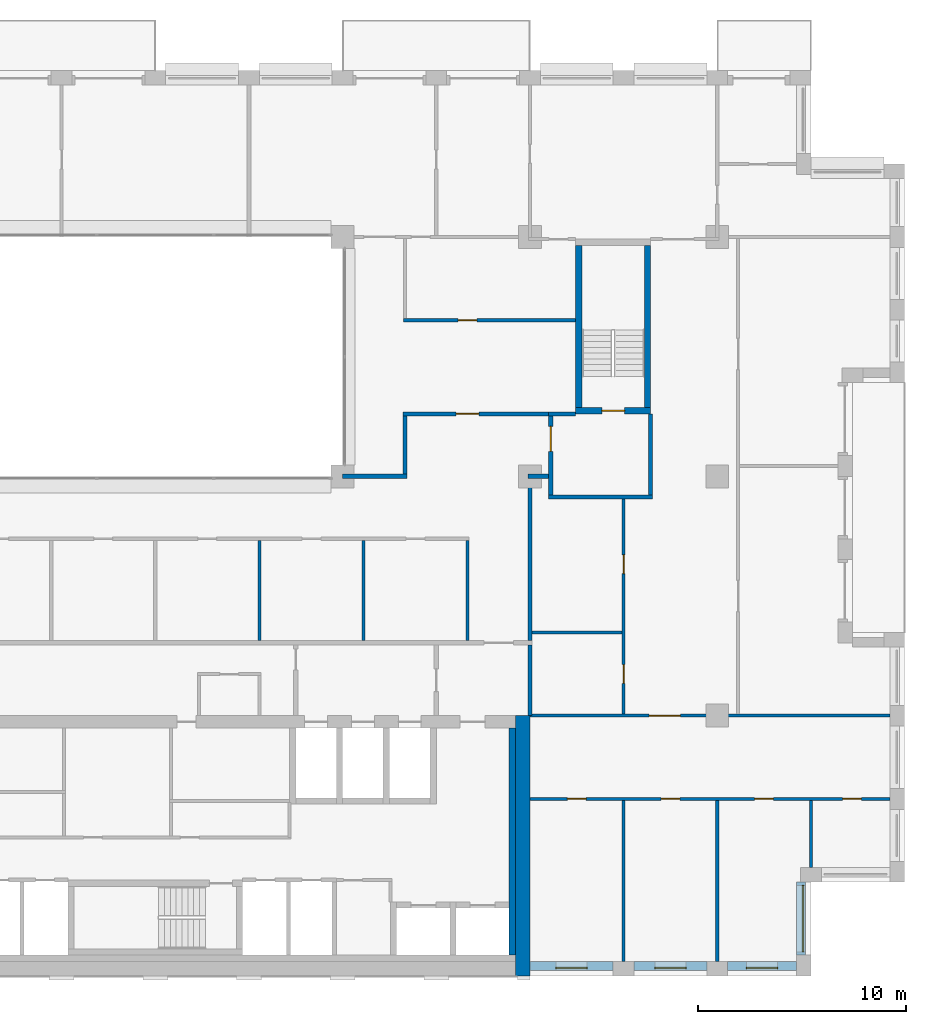
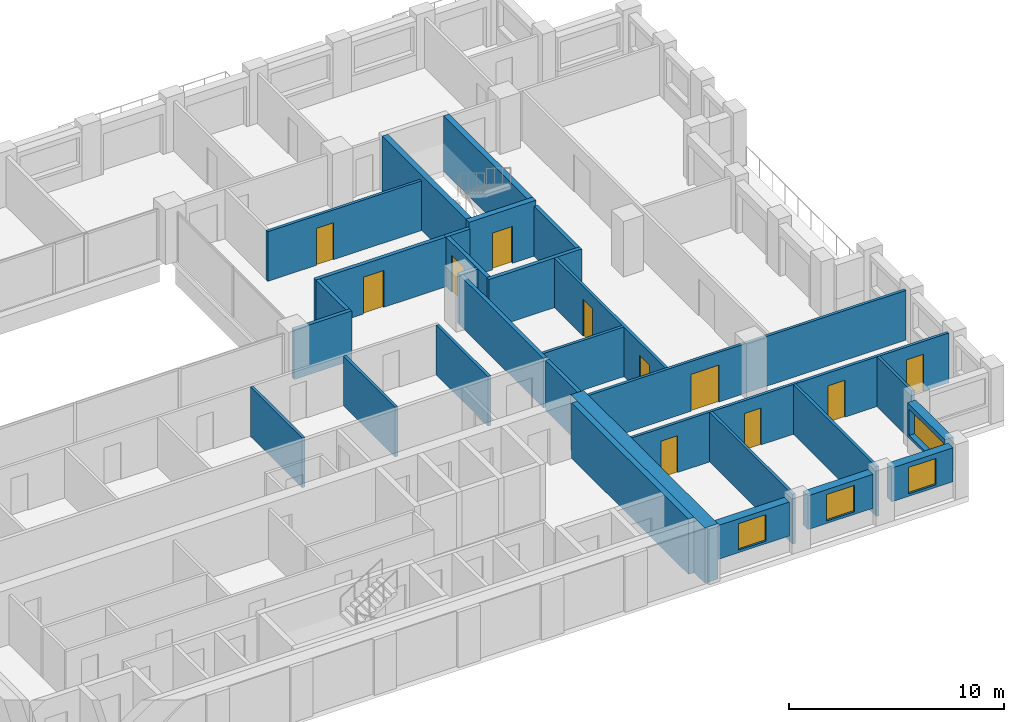
# One storey, part 11 of 15: 30 walls, 11 doors, 4 windows, 15 openings.
"""IFC4 building model written with IfcOpenShell, lengths in metres."""

from ifc_helpers import new_model, si_unit, direction, frame, frame_2d, origin, place, context, subcontext, project, spatial, rectangle, extrude, material, layer, layer_set, type_object, element, fill, save


model = new_model("IFC4")

# Units and contexts
model_context = context("Model", 3, precision=1e-05, world=origin(), true_north=direction((0.0, 1.0)))
body_context = subcontext(model_context, "Body", "Model", "MODEL_VIEW")
ifc_project = project(units=[si_unit("LENGTHUNIT", "METRE"), si_unit("AREAUNIT", "SQUARE_METRE"), si_unit("VOLUMEUNIT", "CUBIC_METRE"), si_unit("PLANEANGLEUNIT", "RADIAN"), si_unit("MASSUNIT", "GRAM", prefix="KILO")], contexts=[model_context])

# Site, building, storey
site_placement = place(None, origin())
site = spatial("IfcSite", under=ifc_project, at=site_placement, CompositionType="ELEMENT")
building_placement = place(site_placement, origin())
building = spatial("IfcBuilding", under=site, at=building_placement, Name="Brigalow Station Residences", CompositionType="ELEMENT")
storey_placement = place(building_placement, frame((0.0, 0.0, 157.050048828125)))
storey = spatial("IfcBuildingStorey", under=building, at=storey_placement, Name="L45", CompositionType="ELEMENT", Elevation=157.050048828125)

# Wall, opening, window
ifc_material_1 = material(Name="Clay brick masonry", Category="masonry")
ifc_layer_1 = layer(ifc_material_1, 0.449951171875)
ifc_layer_set_1 = layer_set([ifc_layer_1], Name="BRICK INFILL WALL 450")
wall_type_1 = type_object("IfcWallType", Name="BRICK INFILL WALL 450", PredefinedType="SOLIDWALL", material=ifc_layer_set_1)
wall_1_placement = place(storey_placement, frame((54.0, 0.47509765625, 0.89990234375), z_axis=(0.0, 0.0, 1.0), x_axis=(1.0, 0.0, 0.0)))
wall_1 = element("IfcWall", 1, at=wall_1_placement, inside=storey, type_object=wall_type_1, Name="L45/ewall/W-L45-4", PredefinedType="SOLIDWALL", context=body_context, shape_type="SweptSolid", body=[
    extrude(rectangle(XDim=4.0, YDim=0.449951171875, at=frame_2d((2.0, 0.0))), origin(), (0.0, 0.0, 1.0), 1.929931640625),
])
opening_1_placement = place(wall_1_placement, frame((1.25, 0.0, 0.14990234375)))
opening_1 = element("IfcOpeningElement", 2, at=opening_1_placement, cuts=wall_1, Name="Opening WT-1", PredefinedType="OPENING", context=body_context, shape_type="SweptSolid", body=[
    extrude(rectangle(XDim=1.5, YDim=1.5, at=frame_2d((0.75, 0.75))), frame((0.0, 0.23486328125, 0.0), z_axis=(0.0, -1.0, 0.0), x_axis=(1.0, 0.0, 0.0)), (0.0, 0.0, 1.0), 0.469970703125),
])
ifc_material_2 = material(Name="Anodised aluminium frame with double glazing", Category="aluminium")
window_type_1 = type_object("IfcWindowType", Name="WINDOW 1500x1500", PartitioningType="SINGLE_PANEL", PredefinedType="WINDOW", material=ifc_material_2)
window_1_placement = place(opening_1_placement, origin())
window_1 = element("IfcWindow", 3, at=window_1_placement, inside=storey, type_object=window_type_1, Name="L45/window/W-L45-4", OverallHeight=1.5, OverallWidth=1.5, PartitioningType="SINGLE_PANEL", PredefinedType="WINDOW", context=body_context, shape_type="SweptSolid", body=[
    extrude(rectangle(XDim=1.5, YDim=1.5, at=frame_2d((0.75, 0.75))), frame((0.0, -0.06494140625, 0.0), z_axis=(0.0, -1.0, 0.0), x_axis=(1.0, 0.0, 0.0)), (0.0, 0.0, 1.0), 0.06005859375),
])
fill(opening_1, window_1)

wall_2_placement = place(storey_placement, frame((59.0, 0.47509765625, 0.89990234375), z_axis=(0.0, 0.0, 1.0), x_axis=(1.0, 0.0, 0.0)))
wall_2 = element("IfcWall", 4, at=wall_2_placement, inside=storey, type_object=wall_type_1, Name="L45/ewall/W-L45-5", PredefinedType="SOLIDWALL", context=body_context, shape_type="SweptSolid", body=[
    extrude(rectangle(XDim=3.5, YDim=0.449951171875, at=frame_2d((1.75, 0.0))), origin(), (0.0, 0.0, 1.0), 1.929931640625),
])
opening_2_placement = place(wall_2_placement, frame((1.0, 0.0, 0.14990234375)))
opening_2 = element("IfcOpeningElement", 5, at=opening_2_placement, cuts=wall_2, Name="Opening WT-1", PredefinedType="OPENING", context=body_context, shape_type="SweptSolid", body=[
    extrude(rectangle(XDim=1.5, YDim=1.5, at=frame_2d((0.75, 0.75))), frame((0.0, 0.23486328125, 0.0), z_axis=(0.0, -1.0, 0.0), x_axis=(1.0, 0.0, 0.0)), (0.0, 0.0, 1.0), 0.469970703125),
])
window_2_placement = place(opening_2_placement, origin())
window_2 = element("IfcWindow", 6, at=window_2_placement, inside=storey, type_object=window_type_1, Name="L45/window/W-L45-5", OverallHeight=1.5, OverallWidth=1.5, PartitioningType="SINGLE_PANEL", PredefinedType="WINDOW", context=body_context, shape_type="SweptSolid", body=[
    extrude(rectangle(XDim=1.5, YDim=1.5, at=frame_2d((0.75, 0.75))), frame((0.0, -0.06494140625, 0.0), z_axis=(0.0, -1.0, 0.0), x_axis=(1.0, 0.0, 0.0)), (0.0, 0.0, 1.0), 0.06005859375),
])
fill(opening_2, window_2)

wall_3_placement = place(storey_placement, frame((63.5, 0.47509765625, 0.89990234375), z_axis=(0.0, 0.0, 1.0), x_axis=(1.0, 0.0, 0.0)))
wall_3 = element("IfcWall", 7, at=wall_3_placement, inside=storey, type_object=wall_type_1, Name="L45/ewall/W-L45-6", PredefinedType="SOLIDWALL", context=body_context, shape_type="SweptSolid", body=[
    extrude(rectangle(XDim=3.300048828125, YDim=0.449951171875, at=frame_2d((1.64990234375, 0.0))), origin(), (0.0, 0.0, 1.0), 1.929931640625),
])
opening_3_placement = place(wall_3_placement, frame((0.89990234375, 0.0, 0.14990234375)))
opening_3 = element("IfcOpeningElement", 8, at=opening_3_placement, cuts=wall_3, Name="Opening WT-1", PredefinedType="OPENING", context=body_context, shape_type="SweptSolid", body=[
    extrude(rectangle(XDim=1.5, YDim=1.5, at=frame_2d((0.75, 0.75))), frame((0.0, 0.23486328125, 0.0), z_axis=(0.0, -1.0, 0.0), x_axis=(1.0, 0.0, 0.0)), (0.0, 0.0, 1.0), 0.469970703125),
])
window_3_placement = place(opening_3_placement, origin())
window_3 = element("IfcWindow", 9, at=window_3_placement, inside=storey, type_object=window_type_1, Name="L45/window/W-L45-6", OverallHeight=1.5, OverallWidth=1.5, PartitioningType="SINGLE_PANEL", PredefinedType="WINDOW", context=body_context, shape_type="SweptSolid", body=[
    extrude(rectangle(XDim=1.5, YDim=1.5, at=frame_2d((0.75, 0.75))), frame((0.0, -0.06494140625, 0.0), z_axis=(0.0, -1.0, 0.0), x_axis=(1.0, 0.0, 0.0)), (0.0, 0.0, 1.0), 0.06005859375),
])
fill(opening_3, window_3)

wall_4_placement = place(storey_placement, frame((67.02490234375, 1.0, 0.89990234375), z_axis=(0.0, 0.0, 1.0), x_axis=(0.0, 1.0, 0.0)))
wall_4 = element("IfcWall", 10, at=wall_4_placement, inside=storey, type_object=wall_type_1, Name="L45/ewall/W-L45-7", PredefinedType="SOLIDWALL", context=body_context, shape_type="SweptSolid", body=[
    extrude(rectangle(XDim=3.5, YDim=0.449951171875, at=frame_2d((1.75, 0.0))), origin(), (0.0, 0.0, 1.0), 1.929931640625),
])
opening_4_placement = place(wall_4_placement, frame((0.14990234375, 0.0, 0.14990234375)))
opening_4 = element("IfcOpeningElement", 11, at=opening_4_placement, cuts=wall_4, Name="Opening WT-9", PredefinedType="OPENING", context=body_context, shape_type="SweptSolid", body=[
    extrude(rectangle(XDim=3.199951171875, YDim=1.5, at=frame_2d((1.60009765625, 0.75))), frame((0.0, 0.23486328125, 0.0), z_axis=(0.0, -1.0, 0.0), x_axis=(1.0, 0.0, 0.0)), (0.0, 0.0, 1.0), 0.469970703125),
])
ifc_material_3 = material(Name="Anodised aluminium frame with double glazing", Category="aluminium")
window_type_2 = type_object("IfcWindowType", Name="WINDOW 3200x1500", PartitioningType="SINGLE_PANEL", PredefinedType="WINDOW", material=ifc_material_3)
window_4_placement = place(opening_4_placement, origin())
window_4 = element("IfcWindow", 12, at=window_4_placement, inside=storey, type_object=window_type_2, Name="L45/window/W-L45-7", OverallHeight=1.5, OverallWidth=3.199951171875, PartitioningType="SINGLE_PANEL", PredefinedType="WINDOW", context=body_context, shape_type="SweptSolid", body=[
    extrude(rectangle(XDim=3.199951171875, YDim=1.5, at=frame_2d((1.60009765625, 0.75))), frame((0.0, -0.06494140625, 0.0), z_axis=(0.0, -1.0, 0.0), x_axis=(1.0, 0.0, 0.0)), (0.0, 0.0, 1.0), 0.06005859375),
])
fill(opening_4, window_4)

# Wall
ifc_material_4 = material(Name="Concrete C65", Category="concrete")
ifc_layer_2 = layer(ifc_material_4, 0.300048828125)
ifc_layer_set_2 = layer_set([ifc_layer_2], Name="CORE SHEAR WALL 300 C65")
wall_type_2 = type_object("IfcWallType", Name="CORE SHEAR WALL 300 C65", PredefinedType="SHEAR", material=ifc_layer_set_2)
wall_5_placement = place(storey_placement, frame((53.14990234375, 1.0, 0.0), z_axis=(0.0, 0.0, 1.0), x_axis=(0.0, 1.0, 0.0)))
element("IfcWall", 13, at=wall_5_placement, inside=storey, type_object=wall_type_2, Name="CORE WALL LIN-E L45", PredefinedType="SHEAR", context=body_context, shape_type="SweptSolid", body=[
    extrude(rectangle(XDim=10.89990234375, YDim=0.300048828125, at=frame_2d((5.449951171875, 0.0))), origin(), (0.0, 0.0, 1.0), 3.14990234375),
])

# Wall, opening, door
wall_6_placement = place(storey_placement, frame((56.199951171875, 27.14990234375, 0.0), z_axis=(0.0, 0.0, 1.0), x_axis=(1.0, 0.0, 0.0)))
wall_6 = element("IfcWall", 14, at=wall_6_placement, inside=storey, type_object=wall_type_2, Name="CORE WALL ST-S3-S L45", PredefinedType="SHEAR", context=body_context, shape_type="SweptSolid", body=[
    extrude(rectangle(XDim=3.60009765625, YDim=0.300048828125, at=frame_2d((1.800048828125, 0.0))), origin(), (0.0, 0.0, 1.0), 3.14990234375),
])
opening_5_placement = place(wall_6_placement, frame((1.25, 0.0, 0.0)))
opening_5 = element("IfcOpeningElement", 15, at=opening_5_placement, cuts=wall_6, Name="Opening D-5018", PredefinedType="OPENING", context=body_context, shape_type="SweptSolid", body=[
    extrude(rectangle(XDim=1.10009765625, YDim=2.10009765625, at=frame_2d((0.550048828125, 1.050048828125))), frame((0.0, 0.16015625, 0.0), z_axis=(0.0, -1.0, 0.0), x_axis=(1.0, 0.0, 0.0)), (0.0, 0.0, 1.0), 0.320068359375),
])
ifc_material_5 = material(Name="Steel fire door leaf in steel frame", Category="steel")
door_type_1 = type_object("IfcDoorType", Name="STAIR DOOR 1100 x 2100 FD60S", OperationType="SINGLE_SWING_LEFT", PredefinedType="DOOR", material=ifc_material_5)
door_1_placement = place(opening_5_placement, origin())
door_1 = element("IfcDoor", 16, at=door_1_placement, inside=storey, type_object=door_type_1, Name="D-5018", OperationType="SINGLE_SWING_LEFT", OverallHeight=2.10009765625, OverallWidth=1.10009765625, PredefinedType="DOOR", context=body_context, shape_type="SweptSolid", body=[
    extrude(rectangle(XDim=1.10009765625, YDim=2.10009765625, at=frame_2d((0.550048828125, 1.050048828125))), frame((0.0, 0.02490234375, 0.0), z_axis=(0.0, -1.0, 0.0), x_axis=(1.0, 0.0, 0.0)), (0.0, 0.0, 1.0), 0.050048828125),
])
fill(opening_5, door_1)

# Walls
for number, where, z_axis, x_axis, name in (
    (17, (56.35009765625, 27.300048828125, 0.0), (0.0, 0.0, 1.0), (0.0, 1.0, 0.0), "CORE WALL ST-S3-W L45"),
    (18, (59.64990234375, 27.300048828125, 0.0), (0.0, 0.0, 1.0), (0.0, 1.0, 0.0), "CORE WALL ST-S3-E L45"),
):
    element("IfcWall", number, at=place(storey_placement, frame(where, z_axis=z_axis, x_axis=x_axis)), inside=storey, type_object=wall_type_2, Name=name, PredefinedType="SHEAR", context=body_context, shape_type="SweptSolid", body=[
        extrude(rectangle(XDim=7.800048828125, YDim=0.300048828125, at=frame_2d((3.89990234375, 0.0))), origin(), (0.0, 0.0, 1.0), 3.14990234375),
    ])
ifc_material_6 = material(Name="Concrete C65", Category="concrete")
ifc_layer_3 = layer(ifc_material_6, 0.699951171875)
ifc_layer_set_3 = layer_set([ifc_layer_3], Name="CORE SHEAR WALL 700 C65")
wall_type_3 = type_object("IfcWallType", Name="CORE SHEAR WALL 700 C65", PredefinedType="SHEAR", material=ifc_layer_set_3)
wall_7_placement = place(storey_placement, frame((53.64990234375, 0.0, 0.0), z_axis=(0.0, 0.0, 1.0), x_axis=(0.0, 1.0, 0.0)))
element("IfcWall", 19, at=wall_7_placement, inside=storey, type_object=wall_type_3, Name="CORE WALL OUT-E L45", PredefinedType="SHEAR", context=body_context, shape_type="SweptSolid", body=[
    extrude(rectangle(XDim=12.5, YDim=0.699951171875, at=frame_2d((6.25, 0.0))), origin(), (0.0, 0.0, 1.0), 3.14990234375),
])
ifc_material_7 = material(Name="Concrete blockwork", Category="masonry")
ifc_layer_4 = layer(ifc_material_7, 0.199951171875)
ifc_layer_set_4 = layer_set([ifc_layer_4], Name="FIRE RATED CORE PARTITION 200")
wall_type_4 = type_object("IfcWallType", Name="FIRE RATED CORE PARTITION 200", PredefinedType="PARTITIONING", material=ifc_layer_set_4)
wall_8_placement = place(storey_placement, frame((54.89990234375, 23.0, 0.0), z_axis=(0.0, 0.0, 1.0), x_axis=(1.0, 0.0, 0.0)))
element("IfcWall", 20, at=wall_8_placement, inside=storey, type_object=wall_type_4, Name="PW-5024", PredefinedType="PARTITIONING", context=body_context, shape_type="SweptSolid", body=[
    extrude(rectangle(XDim=5.0, YDim=0.199951171875, at=frame_2d((2.5, 0.0))), origin(), (0.0, 0.0, 1.0), 2.829833984375),
])
wall_9_placement = place(storey_placement, frame((54.89990234375, 27.0, 0.0), z_axis=(0.0, 0.0, 1.0), x_axis=(1.0, 0.0, 0.0)))
element("IfcWall", 21, at=wall_9_placement, inside=storey, type_object=wall_type_4, Name="PW-5026", PredefinedType="PARTITIONING", context=body_context, shape_type="SweptSolid", body=[
    extrude(rectangle(XDim=1.300048828125, YDim=0.199951171875, at=frame_2d((0.64990234375, 0.0))), origin(), (0.0, 0.0, 1.0), 2.829833984375),
])
wall_10_placement = place(storey_placement, frame((54.0, 12.5, 0.0), z_axis=(0.0, 0.0, 1.0), x_axis=(0.0, 1.0, 0.0)))
element("IfcWall", 22, at=wall_10_placement, inside=storey, type_object=wall_type_4, Name="PW-5016", PredefinedType="PARTITIONING", context=body_context, shape_type="SweptSolid", body=[
    extrude(rectangle(XDim=3.39990234375, YDim=0.199951171875, at=frame_2d((1.699951171875, 0.0))), origin(), (0.0, 0.0, 1.0), 2.829833984375),
])

# Wall, opening, door
wall_11_placement = place(storey_placement, frame((55.0, 23.10009765625, 0.0), z_axis=(0.0, 0.0, 1.0), x_axis=(0.0, 1.0, 0.0)))
wall_11 = element("IfcWall", 23, at=wall_11_placement, inside=storey, type_object=wall_type_4, Name="PW-5036", PredefinedType="PARTITIONING", context=body_context, shape_type="SweptSolid", body=[
    extrude(rectangle(XDim=3.7998046875, YDim=0.199951171875, at=frame_2d((1.89990234375, 0.0))), origin(), (0.0, 0.0, 1.0), 2.829833984375),
])
opening_6_placement = place(wall_11_placement, frame((2.10009765625, 0.0, 0.0)))
opening_6 = element("IfcOpeningElement", 24, at=opening_6_placement, cuts=wall_11, Name="Opening D-5019", PredefinedType="OPENING", context=body_context, shape_type="SweptSolid", body=[
    extrude(rectangle(XDim=1.199951171875, YDim=2.10009765625, at=frame_2d((0.60009765625, 1.050048828125))), frame((0.0, 0.10986328125, 0.0), z_axis=(0.0, -1.0, 0.0), x_axis=(1.0, 0.0, 0.0)), (0.0, 0.0, 1.0), 0.219970703125),
])
ifc_material_8 = material(Name="Steel fire door leaf in steel frame", Category="steel")
door_type_2 = type_object("IfcDoorType", Name="STAIR LOBBY DOOR 1200 x 2100 FD60S", OperationType="SINGLE_SWING_LEFT", PredefinedType="DOOR", material=ifc_material_8)
door_2_placement = place(opening_6_placement, frame((1.199951171875, 0.0, 0.0), z_axis=(0.0, 0.0, 1.0), x_axis=(-1.0, 0.0, 0.0)))
door_2 = element("IfcDoor", 25, at=door_2_placement, inside=storey, type_object=door_type_2, Name="D-5019", OperationType="SINGLE_SWING_LEFT", OverallHeight=2.10009765625, OverallWidth=1.199951171875, PredefinedType="DOOR", context=body_context, shape_type="SweptSolid", body=[
    extrude(rectangle(XDim=1.199951171875, YDim=2.10009765625, at=frame_2d((0.60009765625, 1.050048828125))), frame((0.0, 0.02490234375, 0.0), z_axis=(0.0, -1.0, 0.0), x_axis=(1.0, 0.0, 0.0)), (0.0, 0.0, 1.0), 0.050048828125),
])
fill(opening_6, door_2)

# Wall
wall_12_placement = place(storey_placement, frame((59.800048828125, 23.10009765625, 0.0), z_axis=(0.0, 0.0, 1.0), x_axis=(0.0, 1.0, 0.0)))
element("IfcWall", 26, at=wall_12_placement, inside=storey, type_object=wall_type_4, Name="PW-5037", PredefinedType="PARTITIONING", context=body_context, shape_type="SweptSolid", body=[
    extrude(rectangle(XDim=3.89990234375, YDim=0.199951171875, at=frame_2d((1.949951171875, 0.0))), origin(), (0.0, 0.0, 1.0), 2.829833984375),
])

# Wall, opening, door
ifc_material_9 = material(Name="Plasterboard on steel stud partition", Category="steel")
ifc_layer_5 = layer(ifc_material_9, 0.14990234375)
ifc_layer_set_5 = layer_set([ifc_layer_5], Name="FLAT PARTITION 150")
wall_type_5 = type_object("IfcWallType", Name="FLAT PARTITION 150", PredefinedType="PARTITIONING", material=ifc_layer_set_5)
wall_13_placement = place(storey_placement, frame((47.925048828125, 31.5, 0.0), z_axis=(0.0, 0.0, 1.0), x_axis=(1.0, 0.0, 0.0)))
wall_13 = element("IfcWall", 27, at=wall_13_placement, inside=storey, type_object=wall_type_5, Name="PW-3B09", PredefinedType="PARTITIONING", context=body_context, shape_type="SweptSolid", body=[
    extrude(rectangle(XDim=8.27490234375, YDim=0.14990234375, at=frame_2d((4.137451171875, 0.0))), origin(), (0.0, 0.0, 1.0), 2.829833984375),
])
opening_7_placement = place(wall_13_placement, frame((2.625, 0.0, 0.0)))
opening_7 = element("IfcOpeningElement", 28, at=opening_7_placement, cuts=wall_13, Name="Opening D-3B18", PredefinedType="OPENING", context=body_context, shape_type="SweptSolid", body=[
    extrude(rectangle(XDim=0.89990234375, YDim=2.10009765625, at=frame_2d((0.449951171875, 1.050048828125))), frame((0.0, 0.0849609375, 0.0), z_axis=(0.0, -1.0, 0.0), x_axis=(1.0, 0.0, 0.0)), (0.0, 0.0, 1.0), 0.169921875),
])
ifc_material_10 = material(Name="Solid-core timber door leaf", Category="wood")
door_type_3 = type_object("IfcDoorType", Name="INTERNAL DOOR 900 x 2100", OperationType="SINGLE_SWING_LEFT", PredefinedType="DOOR", material=ifc_material_10)
door_3_placement = place(opening_7_placement, origin())
door_3 = element("IfcDoor", 29, at=door_3_placement, inside=storey, type_object=door_type_3, Name="D-3B18", OperationType="SINGLE_SWING_LEFT", OverallHeight=2.10009765625, OverallWidth=0.89990234375, PredefinedType="DOOR", context=body_context, shape_type="SweptSolid", body=[
    extrude(rectangle(XDim=0.89990234375, YDim=2.10009765625, at=frame_2d((0.449951171875, 1.050048828125))), frame((0.0, 0.02490234375, 0.0), z_axis=(0.0, -1.0, 0.0), x_axis=(1.0, 0.0, 0.0)), (0.0, 0.0, 1.0), 0.050048828125),
])
fill(opening_7, door_3)

# Wall
wall_14_placement = place(storey_placement, frame((54.10009765625, 16.5, 0.0), z_axis=(0.0, 0.0, 1.0), x_axis=(1.0, 0.0, 0.0)))
element("IfcWall", 30, at=wall_14_placement, inside=storey, type_object=wall_type_5, Name="PW-3B20", PredefinedType="PARTITIONING", context=body_context, shape_type="SweptSolid", body=[
    extrude(rectangle(XDim=4.324951171875, YDim=0.14990234375, at=frame_2d((2.16259765625, 0.0))), origin(), (0.0, 0.0, 1.0), 2.829833984375),
])

# Wall, openings, doors
wall_15_placement = place(storey_placement, frame((54.0, 8.5, 0.0), z_axis=(0.0, 0.0, 1.0), x_axis=(1.0, 0.0, 0.0)))
wall_15 = element("IfcWall", 31, at=wall_15_placement, inside=storey, type_object=wall_type_5, Name="PW-3B22", PredefinedType="PARTITIONING", context=body_context, shape_type="SweptSolid", body=[
    extrude(rectangle(XDim=17.300048828125, YDim=0.14990234375, at=frame_2d((8.64990234375, 0.0))), origin(), (0.0, 0.0, 1.0), 2.829833984375),
])
opening_8_placement = place(wall_15_placement, frame((1.800048828125, 0.0, 0.0)))
opening_8 = element("IfcOpeningElement", 32, at=opening_8_placement, cuts=wall_15, Name="Opening D-3B32", PredefinedType="OPENING", context=body_context, shape_type="SweptSolid", body=[
    extrude(rectangle(XDim=0.89990234375, YDim=2.10009765625, at=frame_2d((0.449951171875, 1.050048828125))), frame((0.0, 0.0849609375, 0.0), z_axis=(0.0, -1.0, 0.0), x_axis=(1.0, 0.0, 0.0)), (0.0, 0.0, 1.0), 0.169921875),
])
opening_9_placement = place(wall_15_placement, frame((6.300048828125, 0.0, 0.0)))
opening_9 = element("IfcOpeningElement", 33, at=opening_9_placement, cuts=wall_15, Name="Opening D-3B33", PredefinedType="OPENING", context=body_context, shape_type="SweptSolid", body=[
    extrude(rectangle(XDim=0.89990234375, YDim=2.10009765625, at=frame_2d((0.449951171875, 1.050048828125))), frame((0.0, 0.0849609375, 0.0), z_axis=(0.0, -1.0, 0.0), x_axis=(1.0, 0.0, 0.0)), (0.0, 0.0, 1.0), 0.169921875),
])
opening_10_placement = place(wall_15_placement, frame((10.800048828125, 0.0, 0.0)))
opening_10 = element("IfcOpeningElement", 34, at=opening_10_placement, cuts=wall_15, Name="Opening D-3B34", PredefinedType="OPENING", context=body_context, shape_type="SweptSolid", body=[
    extrude(rectangle(XDim=0.89990234375, YDim=2.10009765625, at=frame_2d((0.449951171875, 1.050048828125))), frame((0.0, 0.0849609375, 0.0), z_axis=(0.0, -1.0, 0.0), x_axis=(1.0, 0.0, 0.0)), (0.0, 0.0, 1.0), 0.169921875),
])
opening_11_placement = place(wall_15_placement, frame((15.02490234375, 0.0, 0.0)))
opening_11 = element("IfcOpeningElement", 35, at=opening_11_placement, cuts=wall_15, Name="Opening D-3B35", PredefinedType="OPENING", context=body_context, shape_type="SweptSolid", body=[
    extrude(rectangle(XDim=0.89990234375, YDim=2.10009765625, at=frame_2d((0.449951171875, 1.050048828125))), frame((0.0, 0.0849609375, 0.0), z_axis=(0.0, -1.0, 0.0), x_axis=(1.0, 0.0, 0.0)), (0.0, 0.0, 1.0), 0.169921875),
])
door_4_placement = place(opening_8_placement, frame((0.89990234375, 0.0, 0.0), z_axis=(0.0, 0.0, 1.0), x_axis=(-1.0, 0.0, 0.0)))
door_4 = element("IfcDoor", 36, at=door_4_placement, inside=storey, type_object=door_type_3, Name="D-3B32", OperationType="SINGLE_SWING_LEFT", OverallHeight=2.10009765625, OverallWidth=0.89990234375, PredefinedType="DOOR", context=body_context, shape_type="SweptSolid", body=[
    extrude(rectangle(XDim=0.89990234375, YDim=2.10009765625, at=frame_2d((0.449951171875, 1.050048828125))), frame((0.0, 0.02490234375, 0.0), z_axis=(0.0, -1.0, 0.0), x_axis=(1.0, 0.0, 0.0)), (0.0, 0.0, 1.0), 0.050048828125),
])
fill(opening_8, door_4)
door_5_placement = place(opening_9_placement, frame((0.89990234375, 0.0, 0.0), z_axis=(0.0, 0.0, 1.0), x_axis=(-1.0, 0.0, 0.0)))
door_5 = element("IfcDoor", 37, at=door_5_placement, inside=storey, type_object=door_type_3, Name="D-3B33", OperationType="SINGLE_SWING_RIGHT", OverallHeight=2.10009765625, OverallWidth=0.89990234375, PredefinedType="DOOR", context=body_context, shape_type="SweptSolid", body=[
    extrude(rectangle(XDim=0.89990234375, YDim=2.10009765625, at=frame_2d((0.449951171875, 1.050048828125))), frame((0.0, 0.02490234375, 0.0), z_axis=(0.0, -1.0, 0.0), x_axis=(1.0, 0.0, 0.0)), (0.0, 0.0, 1.0), 0.050048828125),
])
fill(opening_9, door_5)
door_6_placement = place(opening_10_placement, frame((0.89990234375, 0.0, 0.0), z_axis=(0.0, 0.0, 1.0), x_axis=(-1.0, 0.0, 0.0)))
door_6 = element("IfcDoor", 38, at=door_6_placement, inside=storey, type_object=door_type_3, Name="D-3B34", OperationType="SINGLE_SWING_RIGHT", OverallHeight=2.10009765625, OverallWidth=0.89990234375, PredefinedType="DOOR", context=body_context, shape_type="SweptSolid", body=[
    extrude(rectangle(XDim=0.89990234375, YDim=2.10009765625, at=frame_2d((0.449951171875, 1.050048828125))), frame((0.0, 0.02490234375, 0.0), z_axis=(0.0, -1.0, 0.0), x_axis=(1.0, 0.0, 0.0)), (0.0, 0.0, 1.0), 0.050048828125),
])
fill(opening_10, door_6)
door_7_placement = place(opening_11_placement, frame((0.89990234375, 0.0, 0.0), z_axis=(0.0, 0.0, 1.0), x_axis=(-1.0, 0.0, 0.0)))
door_7 = element("IfcDoor", 39, at=door_7_placement, inside=storey, type_object=door_type_3, Name="D-3B35", OperationType="SINGLE_SWING_LEFT", OverallHeight=2.10009765625, OverallWidth=0.89990234375, PredefinedType="DOOR", context=body_context, shape_type="SweptSolid", body=[
    extrude(rectangle(XDim=0.89990234375, YDim=2.10009765625, at=frame_2d((0.449951171875, 1.050048828125))), frame((0.0, 0.02490234375, 0.0), z_axis=(0.0, -1.0, 0.0), x_axis=(1.0, 0.0, 0.0)), (0.0, 0.0, 1.0), 0.050048828125),
])
fill(opening_11, door_7)

# Wall, opening, door
wall_16_placement = place(storey_placement, frame((54.0, 12.5, 0.0), z_axis=(0.0, 0.0, 1.0), x_axis=(1.0, 0.0, 0.0)))
wall_16 = element("IfcWall", 40, at=wall_16_placement, inside=storey, type_object=wall_type_5, Name="PW-3B24", PredefinedType="PARTITIONING", context=body_context, shape_type="SweptSolid", body=[
    extrude(rectangle(XDim=17.300048828125, YDim=0.14990234375, at=frame_2d((8.64990234375, 0.0))), origin(), (0.0, 0.0, 1.0), 2.829833984375),
])
opening_12_placement = place(wall_16_placement, frame((5.72509765625, 0.0, 0.0)))
opening_12 = element("IfcOpeningElement", 41, at=opening_12_placement, cuts=wall_16, Name="Opening D-3B31", PredefinedType="OPENING", context=body_context, shape_type="SweptSolid", body=[
    extrude(rectangle(XDim=1.5, YDim=2.10009765625, at=frame_2d((0.75, 1.050048828125))), frame((0.0, 0.0849609375, 0.0), z_axis=(0.0, -1.0, 0.0), x_axis=(1.0, 0.0, 0.0)), (0.0, 0.0, 1.0), 0.169921875),
])
ifc_material_11 = material(Name="Solid-core timber door leaf", Category="wood")
door_type_4 = type_object("IfcDoorType", Name="INTERNAL DOUBLE DOOR 1500 x 2100", OperationType="DOUBLE_DOOR_SINGLE_SWING", PredefinedType="DOOR", material=ifc_material_11)
door_8_placement = place(opening_12_placement, frame((1.5, 0.0, 0.0), z_axis=(0.0, 0.0, 1.0), x_axis=(-1.0, 0.0, 0.0)))
door_8 = element("IfcDoor", 42, at=door_8_placement, inside=storey, type_object=door_type_4, Name="D-3B31", OperationType="DOUBLE_DOOR_SINGLE_SWING", OverallHeight=2.10009765625, OverallWidth=1.5, PredefinedType="DOOR", context=body_context, shape_type="SweptSolid", body=[
    extrude(rectangle(XDim=1.5, YDim=2.10009765625, at=frame_2d((0.75, 1.050048828125))), frame((0.0, 0.02490234375, 0.0), z_axis=(0.0, -1.0, 0.0), x_axis=(1.0, 0.0, 0.0)), (0.0, 0.0, 1.0), 0.050048828125),
])
fill(opening_12, door_8)

# Walls
wall_17_placement = place(storey_placement, frame((51.0, 16.10009765625, 0.0), z_axis=(0.0, 0.0, 1.0), x_axis=(0.0, 1.0, 0.0)))
element("IfcWall", 43, at=wall_17_placement, inside=storey, type_object=wall_type_5, Name="PW-3B31", PredefinedType="PARTITIONING", context=body_context, shape_type="SweptSolid", body=[
    extrude(rectangle(XDim=4.824951171875, YDim=0.14990234375, at=frame_2d((2.41259765625, 0.0))), origin(), (0.0, 0.0, 1.0), 2.829833984375),
])
for number, where, z_axis, x_axis, name in (
    (44, (63.0, 0.699951171875, 0.0), (0.0, 0.0, 1.0), (0.0, 1.0, 0.0), "PW-3B43"),
    (45, (58.5, 0.699951171875, 0.0), (0.0, 0.0, 1.0), (0.0, 1.0, 0.0), "PW-3B46"),
):
    element("IfcWall", number, at=place(storey_placement, frame(where, z_axis=z_axis, x_axis=x_axis)), inside=storey, type_object=wall_type_5, Name=name, PredefinedType="PARTITIONING", context=body_context, shape_type="SweptSolid", body=[
        extrude(rectangle(XDim=7.72509765625, YDim=0.14990234375, at=frame_2d((3.862548828125, 0.0))), origin(), (0.0, 0.0, 1.0), 2.829833984375),
    ])

# Wall, openings, doors
wall_18_placement = place(storey_placement, frame((58.5, 12.574951171875, 0.0), z_axis=(0.0, 0.0, 1.0), x_axis=(0.0, 1.0, 0.0)))
wall_18 = element("IfcWall", 46, at=wall_18_placement, inside=storey, type_object=wall_type_5, Name="PW-3B47", PredefinedType="PARTITIONING", context=body_context, shape_type="SweptSolid", body=[
    extrude(rectangle(XDim=10.324951171875, YDim=0.14990234375, at=frame_2d((5.16259765625, 0.0))), origin(), (0.0, 0.0, 1.0), 2.829833984375),
])
opening_13_placement = place(wall_18_placement, frame((6.75, 0.0, 0.0)))
opening_13 = element("IfcOpeningElement", 47, at=opening_13_placement, cuts=wall_18, Name="Opening D-3B29", PredefinedType="OPENING", context=body_context, shape_type="SweptSolid", body=[
    extrude(rectangle(XDim=0.89990234375, YDim=2.10009765625, at=frame_2d((0.449951171875, 1.050048828125))), frame((0.0, 0.0849609375, 0.0), z_axis=(0.0, -1.0, 0.0), x_axis=(1.0, 0.0, 0.0)), (0.0, 0.0, 1.0), 0.169921875),
])
opening_14_placement = place(wall_18_placement, frame((1.47509765625, 0.0, 0.0)))
opening_14 = element("IfcOpeningElement", 48, at=opening_14_placement, cuts=wall_18, Name="Opening D-3B30", PredefinedType="OPENING", context=body_context, shape_type="SweptSolid", body=[
    extrude(rectangle(XDim=0.89990234375, YDim=2.10009765625, at=frame_2d((0.449951171875, 1.050048828125))), frame((0.0, 0.0849609375, 0.0), z_axis=(0.0, -1.0, 0.0), x_axis=(1.0, 0.0, 0.0)), (0.0, 0.0, 1.0), 0.169921875),
])
door_9_placement = place(opening_13_placement, origin())
door_9 = element("IfcDoor", 49, at=door_9_placement, inside=storey, type_object=door_type_3, Name="D-3B29", OperationType="SINGLE_SWING_RIGHT", OverallHeight=2.10009765625, OverallWidth=0.89990234375, PredefinedType="DOOR", context=body_context, shape_type="SweptSolid", body=[
    extrude(rectangle(XDim=0.89990234375, YDim=2.10009765625, at=frame_2d((0.449951171875, 1.050048828125))), frame((0.0, 0.02490234375, 0.0), z_axis=(0.0, -1.0, 0.0), x_axis=(1.0, 0.0, 0.0)), (0.0, 0.0, 1.0), 0.050048828125),
])
fill(opening_13, door_9)
door_10_placement = place(opening_14_placement, origin())
door_10 = element("IfcDoor", 50, at=door_10_placement, inside=storey, type_object=door_type_3, Name="D-3B30", OperationType="SINGLE_SWING_RIGHT", OverallHeight=2.10009765625, OverallWidth=0.89990234375, PredefinedType="DOOR", context=body_context, shape_type="SweptSolid", body=[
    extrude(rectangle(XDim=0.89990234375, YDim=2.10009765625, at=frame_2d((0.449951171875, 1.050048828125))), frame((0.0, 0.02490234375, 0.0), z_axis=(0.0, -1.0, 0.0), x_axis=(1.0, 0.0, 0.0)), (0.0, 0.0, 1.0), 0.050048828125),
])
fill(opening_14, door_10)

# Walls
wall_19_placement = place(storey_placement, frame((67.5, 5.199951171875, 0.0), z_axis=(0.0, 0.0, 1.0), x_axis=(0.0, 1.0, 0.0)))
element("IfcWall", 51, at=wall_19_placement, inside=storey, type_object=wall_type_5, Name="PW-3B48", PredefinedType="PARTITIONING", context=body_context, shape_type="SweptSolid", body=[
    extrude(rectangle(XDim=3.22509765625, YDim=0.14990234375, at=frame_2d((1.612548828125, 0.0))), origin(), (0.0, 0.0, 1.0), 2.829833984375),
])
for number, where, z_axis, x_axis, name in (
    (52, (41.0, 16.10009765625, 0.0), (0.0, 0.0, 1.0), (0.0, 1.0, 0.0), "PW-3B52"),
    (53, (46.0, 16.10009765625, 0.0), (0.0, 0.0, 1.0), (0.0, 1.0, 0.0), "PW-3B53"),
):
    element("IfcWall", number, at=place(storey_placement, frame(where, z_axis=z_axis, x_axis=x_axis)), inside=storey, type_object=wall_type_5, Name=name, PredefinedType="PARTITIONING", context=body_context, shape_type="SweptSolid", body=[
        extrude(rectangle(XDim=4.824951171875, YDim=0.14990234375, at=frame_2d((2.41259765625, 0.0))), origin(), (0.0, 0.0, 1.0), 2.829833984375),
    ])
ifc_material_12 = material(Name="Plasterboard on steel stud partition", Category="steel")
ifc_layer_6 = layer(ifc_material_12, 0.199951171875)
ifc_layer_set_6 = layer_set([ifc_layer_6], Name="PARTY AND CORRIDOR WALL 200")
wall_type_6 = type_object("IfcWallType", Name="PARTY AND CORRIDOR WALL 200", PredefinedType="PARTITIONING", material=ifc_layer_set_6)
wall_20_placement = place(storey_placement, frame((45.0, 24.0, 0.0), z_axis=(0.0, 0.0, 1.0), x_axis=(1.0, 0.0, 0.0)))
element("IfcWall", 54, at=wall_20_placement, inside=storey, type_object=wall_type_6, Name="PW-3B03", PredefinedType="PARTITIONING", context=body_context, shape_type="SweptSolid", body=[
    extrude(rectangle(XDim=3.10009765625, YDim=0.199951171875, at=frame_2d((1.550048828125, 0.0))), origin(), (0.0, 0.0, 1.0), 2.829833984375),
])
wall_21_placement = place(storey_placement, frame((53.89990234375, 24.0, 0.0), z_axis=(0.0, 0.0, 1.0), x_axis=(1.0, 0.0, 0.0)))
element("IfcWall", 55, at=wall_21_placement, inside=storey, type_object=wall_type_6, Name="PW-3B04", PredefinedType="PARTITIONING", context=body_context, shape_type="SweptSolid", body=[
    extrude(rectangle(XDim=1.0, YDim=0.199951171875, at=frame_2d((0.5, 0.0))), origin(), (0.0, 0.0, 1.0), 2.829833984375),
])

# Wall, opening, door
wall_22_placement = place(storey_placement, frame((47.89990234375, 27.0, 0.0), z_axis=(0.0, 0.0, 1.0), x_axis=(1.0, 0.0, 0.0)))
wall_22 = element("IfcWall", 56, at=wall_22_placement, inside=storey, type_object=wall_type_6, Name="PW-3B07", PredefinedType="PARTITIONING", context=body_context, shape_type="SweptSolid", body=[
    extrude(rectangle(XDim=7.0, YDim=0.199951171875, at=frame_2d((3.5, 0.0))), origin(), (0.0, 0.0, 1.0), 2.829833984375),
])
opening_15_placement = place(wall_22_placement, frame((2.550048828125, 0.0, 0.0)))
opening_15 = element("IfcOpeningElement", 57, at=opening_15_placement, cuts=wall_22, Name="Opening D-3B17", PredefinedType="OPENING", context=body_context, shape_type="SweptSolid", body=[
    extrude(rectangle(XDim=1.10009765625, YDim=2.10009765625, at=frame_2d((0.550048828125, 1.050048828125))), frame((0.0, 0.10986328125, 0.0), z_axis=(0.0, -1.0, 0.0), x_axis=(1.0, 0.0, 0.0)), (0.0, 0.0, 1.0), 0.219970703125),
])
ifc_material_13 = material(Name="Solid-core timber door leaf", Category="wood")
door_type_5 = type_object("IfcDoorType", Name="FLAT ENTRANCE DOOR 1100 x 2100 FRL -/60/30", OperationType="SINGLE_SWING_LEFT", PredefinedType="DOOR", material=ifc_material_13)
door_11_placement = place(opening_15_placement, origin())
door_11 = element("IfcDoor", 58, at=door_11_placement, inside=storey, type_object=door_type_5, Name="D-3B17", OperationType="SINGLE_SWING_RIGHT", OverallHeight=2.10009765625, OverallWidth=1.10009765625, PredefinedType="DOOR", context=body_context, shape_type="SweptSolid", body=[
    extrude(rectangle(XDim=1.10009765625, YDim=2.10009765625, at=frame_2d((0.550048828125, 1.050048828125))), frame((0.0, 0.02490234375, 0.0), z_axis=(0.0, -1.0, 0.0), x_axis=(1.0, 0.0, 0.0)), (0.0, 0.0, 1.0), 0.050048828125),
])
fill(opening_15, door_11)

# Walls
wall_23_placement = place(storey_placement, frame((54.0, 16.10009765625, 0.0), z_axis=(0.0, 0.0, 1.0), x_axis=(0.0, 1.0, 0.0)))
element("IfcWall", 59, at=wall_23_placement, inside=storey, type_object=wall_type_6, Name="PW-3B29", PredefinedType="PARTITIONING", context=body_context, shape_type="SweptSolid", body=[
    extrude(rectangle(XDim=7.7998046875, YDim=0.199951171875, at=frame_2d((3.89990234375, 0.0))), origin(), (0.0, 0.0, 1.0), 2.829833984375),
])
wall_24_placement = place(storey_placement, frame((48.0, 24.10009765625, 0.0), z_axis=(0.0, 0.0, 1.0), x_axis=(0.0, 1.0, 0.0)))
element("IfcWall", 60, at=wall_24_placement, inside=storey, type_object=wall_type_6, Name="PW-3B34", PredefinedType="PARTITIONING", context=body_context, shape_type="SweptSolid", body=[
    extrude(rectangle(XDim=2.7998046875, YDim=0.199951171875, at=frame_2d((1.39990234375, 0.0))), origin(), (0.0, 0.0, 1.0), 2.829833984375),
])

save(model, "model.ifc")
